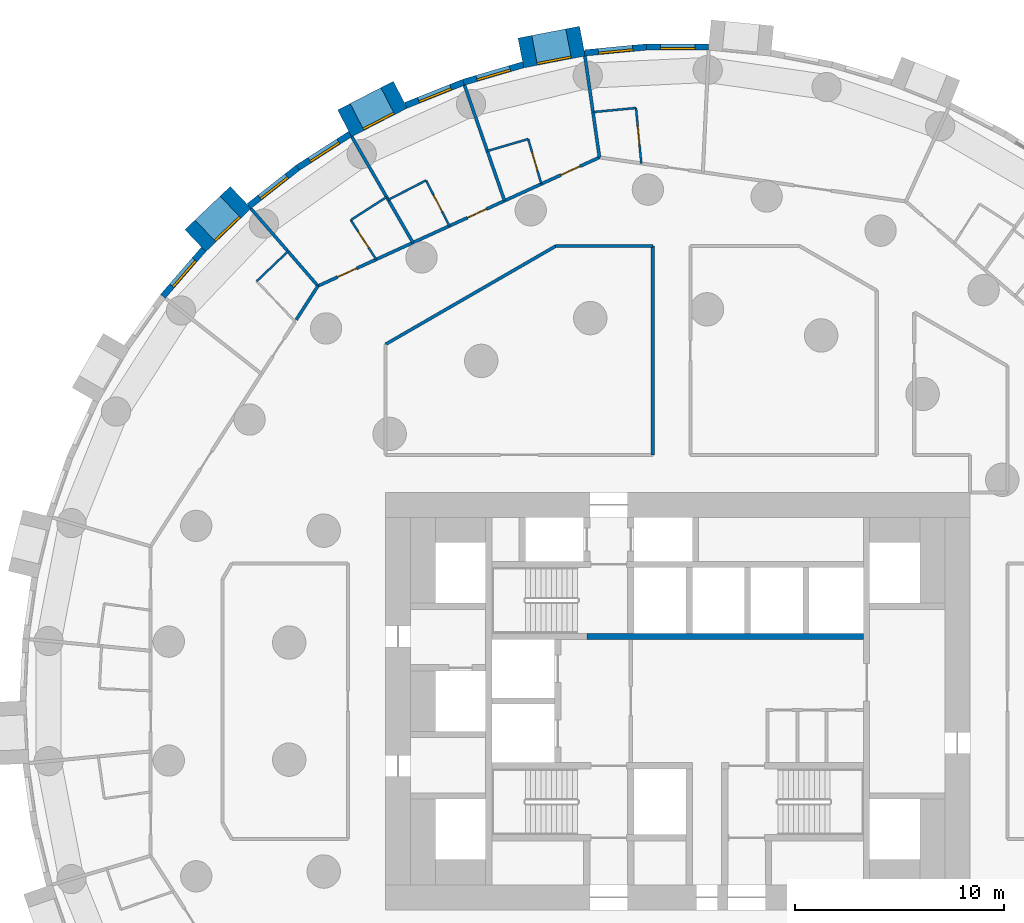
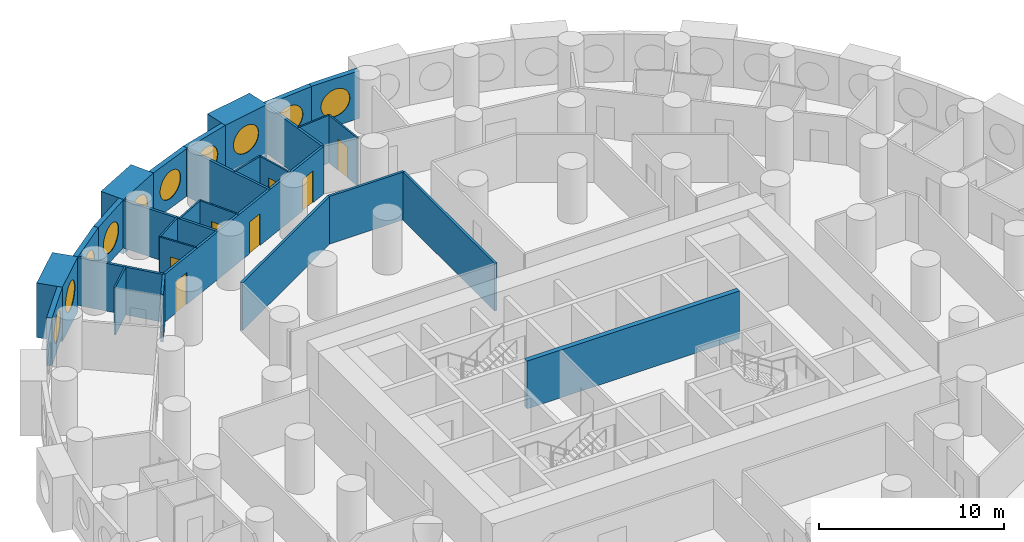
# One storey, part 8 of 12: 29 walls, 10 windows, 7 doors, 17 openings.
"""IFC4 building model written with IfcOpenShell, lengths in metres."""

from ifc_helpers import new_model, si_unit, direction, frame, frame_2d, origin, origin_2d, place, context, subcontext, project, spatial, rectangle, circle, extrude, material, layer, layer_set, type_object, element, fill, save


model = new_model("IFC4")

# Units and contexts
model_context = context("Model", 3, precision=1e-05, world=origin(), true_north=direction((0.0, 1.0)))
body_context = subcontext(model_context, "Body", "Model", "MODEL_VIEW")
ifc_project = project(units=[si_unit("LENGTHUNIT", "METRE"), si_unit("AREAUNIT", "SQUARE_METRE"), si_unit("VOLUMEUNIT", "CUBIC_METRE"), si_unit("PLANEANGLEUNIT", "RADIAN"), si_unit("MASSUNIT", "GRAM", prefix="KILO")], contexts=[model_context])

# Site, building, storey
site_placement = place(None, origin())
site = spatial("IfcSite", under=ifc_project, at=site_placement, CompositionType="ELEMENT")
building_placement = place(site_placement, origin())
building = spatial("IfcBuilding", under=site, at=building_placement, Name="Tracery Tower", CompositionType="ELEMENT")
storey_placement = place(building_placement, frame((0.0, 0.0, 31.800048828125)))
storey = spatial("IfcBuildingStorey", under=building, at=storey_placement, Name="L06", CompositionType="ELEMENT", Elevation=31.800048828125)

# Wall, opening, window
ifc_material_1 = material(Name="Precast concrete C50/60", Category="concrete")
ifc_layer_1 = layer(ifc_material_1, 1.449951171875)
ifc_layer_set_1 = layer_set([ifc_layer_1], Name="Deep-set bay unit 3000 x 3600, slab edge 450")
wall_type_1 = type_object("IfcWallType", Name="Deep-set bay unit 3000 x 3600, slab edge 450", PredefinedType="ELEMENTEDWALL", material=ifc_layer_set_1)
wall_1_placement = place(storey_placement, frame((-4.56689453125, 31.62109375, -0.449951171875), z_axis=(0.0, 0.0, 1.0), x_axis=(-0.981921602273, -0.189288052949, 0.0)))
wall_1 = element("IfcWall", 1, at=wall_1_placement, inside=storey, type_object=wall_type_1, Name="Deep-set bay unit 19 at L06", PredefinedType="ELEMENTEDWALL", context=body_context, shape_type="SweptSolid", body=[
    extrude(rectangle(XDim=3.0, YDim=1.449951171875, at=frame_2d((1.5, 0.0))), origin(), (0.0, 0.0, 1.0), 3.599853515625),
])
opening_1_placement = place(wall_1_placement, frame((1.5, 0.0, 2.0)))
opening_1 = element("IfcOpeningElement", 2, at=opening_1_placement, cuts=wall_1, Name="Opening WN1", PredefinedType="OPENING", context=body_context, shape_type="SweptSolid", body=[
    extrude(circle(Radius=0.9000244140625, at=origin_2d()), frame((0.0, 0.73486328125, 0.0), z_axis=(0.0, -1.0, 0.0), x_axis=(1.0, 0.0, 0.0)), (0.0, 0.0, 1.0), 1.469970703125),
])
ifc_material_2 = material(Name="Aluminium frame with tinted double glazing", Category="aluminium")
window_type = type_object("IfcWindowType", Name="Round window 1800", PartitioningType="SINGLE_PANEL", PredefinedType="WINDOW", material=ifc_material_2)
window_1_placement = place(opening_1_placement, origin())
window_1 = element("IfcWindow", 3, at=window_1_placement, inside=storey, type_object=window_type, Name="Round window 19 at L06", OverallHeight=1.800048828125, OverallWidth=1.800048828125, PartitioningType="SINGLE_PANEL", PredefinedType="WINDOW", context=body_context, shape_type="SweptSolid", body=[
    extrude(circle(Radius=0.9000244140625, at=origin_2d()), frame((0.0, 0.69482421875, 0.0), z_axis=(0.0, -1.0, 0.0), x_axis=(1.0, 0.0, 0.0)), (0.0, 0.0, 1.0), 0.10009765625),
])
fill(opening_1, window_1)

wall_2_placement = place(storey_placement, frame((-13.29052734375, 29.053466796875, -0.449951171875), z_axis=(0.0, 0.0, 1.0), x_axis=(-0.888858064689, -0.458182650083, 0.0)))
wall_2 = element("IfcWall", 4, at=wall_2_placement, inside=storey, type_object=wall_type_1, Name="Deep-set bay unit 22 at L06", PredefinedType="ELEMENTEDWALL", context=body_context, shape_type="SweptSolid", body=[
    extrude(rectangle(XDim=3.0, YDim=1.449951171875, at=frame_2d((1.5, 0.0))), origin(), (0.0, 0.0, 1.0), 3.599853515625),
])
opening_2_placement = place(wall_2_placement, frame((1.5, 0.0, 2.0)))
opening_2 = element("IfcOpeningElement", 5, at=opening_2_placement, cuts=wall_2, Name="Opening WN1", PredefinedType="OPENING", context=body_context, shape_type="SweptSolid", body=[
    extrude(circle(Radius=0.9000244140625, at=origin_2d()), frame((0.0, 0.73486328125, 0.0), z_axis=(0.0, -1.0, 0.0), x_axis=(1.0, 0.0, 0.0)), (0.0, 0.0, 1.0), 1.469970703125),
])
window_2_placement = place(opening_2_placement, origin())
window_2 = element("IfcWindow", 6, at=window_2_placement, inside=storey, type_object=window_type, Name="Round window 22 at L06", OverallHeight=1.800048828125, OverallWidth=1.800048828125, PartitioningType="SINGLE_PANEL", PredefinedType="WINDOW", context=body_context, shape_type="SweptSolid", body=[
    extrude(circle(Radius=0.9000244140625, at=origin_2d()), frame((0.0, 0.69482421875, 0.0), z_axis=(0.0, -1.0, 0.0), x_axis=(1.0, 0.0, 0.0)), (0.0, 0.0, 1.0), 0.10009765625),
])
fill(opening_2, window_2)

wall_3_placement = place(storey_placement, frame((-20.9375, 24.13232421875, -0.449951171875), z_axis=(0.0, 0.0, 1.0), x_axis=(-0.723712023899, -0.690102098579, 0.0)))
wall_3 = element("IfcWall", 7, at=wall_3_placement, inside=storey, type_object=wall_type_1, Name="Deep-set bay unit 25 at L06", PredefinedType="ELEMENTEDWALL", context=body_context, shape_type="SweptSolid", body=[
    extrude(rectangle(XDim=3.0, YDim=1.449951171875, at=frame_2d((1.5, 0.0))), origin(), (0.0, 0.0, 1.0), 3.599853515625),
])
opening_3_placement = place(wall_3_placement, frame((1.5, 0.0, 2.0)))
opening_3 = element("IfcOpeningElement", 8, at=opening_3_placement, cuts=wall_3, Name="Opening WN1", PredefinedType="OPENING", context=body_context, shape_type="SweptSolid", body=[
    extrude(circle(Radius=0.9000244140625, at=origin_2d()), frame((0.0, 0.73486328125, 0.0), z_axis=(0.0, -1.0, 0.0), x_axis=(1.0, 0.0, 0.0)), (0.0, 0.0, 1.0), 1.469970703125),
])
window_3_placement = place(opening_3_placement, origin())
window_3 = element("IfcWindow", 9, at=window_3_placement, inside=storey, type_object=window_type, Name="Round window 25 at L06", OverallHeight=1.800048828125, OverallWidth=1.800048828125, PartitioningType="SINGLE_PANEL", PredefinedType="WINDOW", context=body_context, shape_type="SweptSolid", body=[
    extrude(circle(Radius=0.9000244140625, at=origin_2d()), frame((0.0, 0.69482421875, 0.0), z_axis=(0.0, -1.0, 0.0), x_axis=(1.0, 0.0, 0.0)), (0.0, 0.0, 1.0), 0.10009765625),
])
fill(opening_3, window_3)

ifc_material_3 = material(Name="Precast concrete C50/60", Category="concrete")
ifc_layer_2 = layer(ifc_material_3, 0.300048828125)
ifc_layer_set_2 = layer_set([ifc_layer_2], Name="Facade panel 3000 x 3150")
wall_type_2 = type_object("IfcWallType", Name="Facade panel 3000 x 3150", PredefinedType="SOLIDWALL", material=ifc_layer_set_2)
wall_4_placement = place(storey_placement, frame((1.48681640625, 31.3388671875, 0.0), z_axis=(0.0, 0.0, 1.0), x_axis=(-1.0, 0.0, 0.0)))
wall_4 = element("IfcWall", 10, at=wall_4_placement, inside=storey, type_object=wall_type_2, Name="Facade panel 17 at L06", PredefinedType="SOLIDWALL", context=body_context, shape_type="SweptSolid", body=[
    extrude(rectangle(XDim=2.979736328125, YDim=0.300048828125, at=frame_2d((1.48974609375, 0.0))), origin(), (0.0, 0.0, 1.0), 3.14990234375),
])
opening_4_placement = place(wall_4_placement, frame((1.48974609375, 0.0, 1.5498046875)))
opening_4 = element("IfcOpeningElement", 11, at=opening_4_placement, cuts=wall_4, Name="Opening WN1", PredefinedType="OPENING", context=body_context, shape_type="SweptSolid", body=[
    extrude(circle(Radius=0.9000244140625, at=origin_2d()), frame((0.0, 0.159912109375, 0.0), z_axis=(0.0, -1.0, 0.0), x_axis=(1.0, 0.0, 0.0)), (0.0, 0.0, 1.0), 0.320068359375),
])
window_4_placement = place(opening_4_placement, origin())
window_4 = element("IfcWindow", 12, at=window_4_placement, inside=storey, type_object=window_type, Name="Round window 17 at L06", OverallHeight=1.800048828125, OverallWidth=1.800048828125, PartitioningType="SINGLE_PANEL", PredefinedType="WINDOW", context=body_context, shape_type="SweptSolid", body=[
    extrude(circle(Radius=0.9000244140625, at=origin_2d()), frame((0.0, 0.1201171875, 0.0), z_axis=(0.0, -1.0, 0.0), x_axis=(1.0, 0.0, 0.0)), (0.0, 0.0, 1.0), 0.10009765625),
])
fill(opening_4, window_4)

wall_5_placement = place(storey_placement, frame((-1.492919921875, 31.3388671875, 0.0), z_axis=(0.0, 0.0, 1.0), x_axis=(-0.995472611385, -0.095048829468, 0.0)))
wall_5 = element("IfcWall", 13, at=wall_5_placement, inside=storey, type_object=wall_type_2, Name="Facade panel 18 at L06", PredefinedType="SOLIDWALL", context=body_context, shape_type="SweptSolid", body=[
    extrude(rectangle(XDim=2.9794921875, YDim=0.300048828125, at=frame_2d((1.48974609375, 0.0))), origin(), (0.0, 0.0, 1.0), 3.14990234375),
])
opening_5_placement = place(wall_5_placement, frame((1.48974609375, 0.0, 1.5498046875)))
opening_5 = element("IfcOpeningElement", 14, at=opening_5_placement, cuts=wall_5, Name="Opening WN1", PredefinedType="OPENING", context=body_context, shape_type="SweptSolid", body=[
    extrude(circle(Radius=0.9000244140625, at=origin_2d()), frame((0.0, 0.159912109375, 0.0), z_axis=(0.0, -1.0, 0.0), x_axis=(1.0, 0.0, 0.0)), (0.0, 0.0, 1.0), 0.320068359375),
])
window_5_placement = place(opening_5_placement, origin())
window_5 = element("IfcWindow", 15, at=window_5_placement, inside=storey, type_object=window_type, Name="Round window 18 at L06", OverallHeight=1.800048828125, OverallWidth=1.800048828125, PartitioningType="SINGLE_PANEL", PredefinedType="WINDOW", context=body_context, shape_type="SweptSolid", body=[
    extrude(circle(Radius=0.9000244140625, at=origin_2d()), frame((0.0, 0.1201171875, 0.0), z_axis=(0.0, -1.0, 0.0), x_axis=(1.0, 0.0, 0.0)), (0.0, 0.0, 1.0), 0.10009765625),
])
fill(opening_5, window_5)

wall_6_placement = place(storey_placement, frame((-7.402587890625, 30.48828125, 0.0), z_axis=(0.0, 0.0, 1.0), x_axis=(-0.959501085144, -0.281704930036, 0.0)))
wall_6 = element("IfcWall", 16, at=wall_6_placement, inside=storey, type_object=wall_type_2, Name="Facade panel 20 at L06", PredefinedType="SOLIDWALL", context=body_context, shape_type="SweptSolid", body=[
    extrude(rectangle(XDim=2.9794921875, YDim=0.300048828125, at=frame_2d((1.48974609375, 0.0))), origin(), (0.0, 0.0, 1.0), 3.14990234375),
])
opening_6_placement = place(wall_6_placement, frame((1.48974609375, 0.0, 1.5498046875)))
opening_6 = element("IfcOpeningElement", 17, at=opening_6_placement, cuts=wall_6, Name="Opening WN1", PredefinedType="OPENING", context=body_context, shape_type="SweptSolid", body=[
    extrude(circle(Radius=0.9000244140625, at=origin_2d()), frame((0.0, 0.159912109375, 0.0), z_axis=(0.0, -1.0, 0.0), x_axis=(1.0, 0.0, 0.0)), (0.0, 0.0, 1.0), 0.320068359375),
])
window_6_placement = place(opening_6_placement, origin())
window_6 = element("IfcWindow", 18, at=window_6_placement, inside=storey, type_object=window_type, Name="Round window 20 at L06", OverallHeight=1.800048828125, OverallWidth=1.800048828125, PartitioningType="SINGLE_PANEL", PredefinedType="WINDOW", context=body_context, shape_type="SweptSolid", body=[
    extrude(circle(Radius=0.9000244140625, at=origin_2d()), frame((0.0, 0.1201171875, 0.0), z_axis=(0.0, -1.0, 0.0), x_axis=(1.0, 0.0, 0.0)), (0.0, 0.0, 1.0), 0.10009765625),
])
fill(opening_6, window_6)

wall_7_placement = place(storey_placement, frame((-10.261474609375, 29.64892578125, 0.0), z_axis=(0.0, 0.0, 1.0), x_axis=(-0.928374947, -0.371644935098, 0.0)))
wall_7 = element("IfcWall", 19, at=wall_7_placement, inside=storey, type_object=wall_type_2, Name="Facade panel 21 at L06", PredefinedType="SOLIDWALL", context=body_context, shape_type="SweptSolid", body=[
    extrude(rectangle(XDim=2.979736328125, YDim=0.300048828125, at=frame_2d((1.48974609375, 0.0))), origin(), (0.0, 0.0, 1.0), 3.14990234375),
])
opening_7_placement = place(wall_7_placement, frame((1.48974609375, 0.0, 1.5498046875)))
opening_7 = element("IfcOpeningElement", 20, at=opening_7_placement, cuts=wall_7, Name="Opening WN1", PredefinedType="OPENING", context=body_context, shape_type="SweptSolid", body=[
    extrude(circle(Radius=0.9000244140625, at=origin_2d()), frame((0.0, 0.159912109375, 0.0), z_axis=(0.0, -1.0, 0.0), x_axis=(1.0, 0.0, 0.0)), (0.0, 0.0, 1.0), 0.320068359375),
])
window_7_placement = place(opening_7_placement, origin())
window_7 = element("IfcWindow", 21, at=window_7_placement, inside=storey, type_object=window_type, Name="Round window 21 at L06", OverallHeight=1.800048828125, OverallWidth=1.800048828125, PartitioningType="SINGLE_PANEL", PredefinedType="WINDOW", context=body_context, shape_type="SweptSolid", body=[
    extrude(circle(Radius=0.9000244140625, at=origin_2d()), frame((0.0, 0.1201171875, 0.0), z_axis=(0.0, -1.0, 0.0), x_axis=(1.0, 0.0, 0.0)), (0.0, 0.0, 1.0), 0.10009765625),
])
fill(opening_7, window_7)

wall_8_placement = place(storey_placement, frame((-15.6923828125, 27.167724609375, 0.0), z_axis=(0.0, 0.0, 1.0), x_axis=(-0.841260995538, -0.54062920508, 0.0)))
wall_8 = element("IfcWall", 22, at=wall_8_placement, inside=storey, type_object=wall_type_2, Name="Facade panel 23 at L06", PredefinedType="SOLIDWALL", context=body_context, shape_type="SweptSolid", body=[
    extrude(rectangle(XDim=2.9794921875, YDim=0.300048828125, at=frame_2d((1.48974609375, 0.0))), origin(), (0.0, 0.0, 1.0), 3.14990234375),
])
opening_8_placement = place(wall_8_placement, frame((1.48974609375, 0.0, 1.5498046875)))
opening_8 = element("IfcOpeningElement", 23, at=opening_8_placement, cuts=wall_8, Name="Opening WN1", PredefinedType="OPENING", context=body_context, shape_type="SweptSolid", body=[
    extrude(circle(Radius=0.9000244140625, at=origin_2d()), frame((0.0, 0.159912109375, 0.0), z_axis=(0.0, -1.0, 0.0), x_axis=(1.0, 0.0, 0.0)), (0.0, 0.0, 1.0), 0.320068359375),
])
window_8_placement = place(opening_8_placement, origin())
window_8 = element("IfcWindow", 24, at=window_8_placement, inside=storey, type_object=window_type, Name="Round window 23 at L06", OverallHeight=1.800048828125, OverallWidth=1.800048828125, PartitioningType="SINGLE_PANEL", PredefinedType="WINDOW", context=body_context, shape_type="SweptSolid", body=[
    extrude(circle(Radius=0.9000244140625, at=origin_2d()), frame((0.0, 0.1201171875, 0.0), z_axis=(0.0, -1.0, 0.0), x_axis=(1.0, 0.0, 0.0)), (0.0, 0.0, 1.0), 0.10009765625),
])
fill(opening_8, window_8)

wall_9_placement = place(storey_placement, frame((-18.198974609375, 25.556884765625, 0.0), z_axis=(0.0, 0.0, 1.0), x_axis=(-0.786053834673, -0.618158045322, 0.0)))
wall_9 = element("IfcWall", 25, at=wall_9_placement, inside=storey, type_object=wall_type_2, Name="Facade panel 24 at L06", PredefinedType="SOLIDWALL", context=body_context, shape_type="SweptSolid", body=[
    extrude(rectangle(XDim=2.9794921875, YDim=0.300048828125, at=frame_2d((1.48974609375, 0.0))), origin(), (0.0, 0.0, 1.0), 3.14990234375),
])
opening_9_placement = place(wall_9_placement, frame((1.48974609375, 0.0, 1.5498046875)))
opening_9 = element("IfcOpeningElement", 26, at=opening_9_placement, cuts=wall_9, Name="Opening WN1", PredefinedType="OPENING", context=body_context, shape_type="SweptSolid", body=[
    extrude(circle(Radius=0.9000244140625, at=origin_2d()), frame((0.0, 0.159912109375, 0.0), z_axis=(0.0, -1.0, 0.0), x_axis=(1.0, 0.0, 0.0)), (0.0, 0.0, 1.0), 0.320068359375),
])
window_9_placement = place(opening_9_placement, origin())
window_9 = element("IfcWindow", 27, at=window_9_placement, inside=storey, type_object=window_type, Name="Round window 24 at L06", OverallHeight=1.800048828125, OverallWidth=1.800048828125, PartitioningType="SINGLE_PANEL", PredefinedType="WINDOW", context=body_context, shape_type="SweptSolid", body=[
    extrude(circle(Radius=0.9000244140625, at=origin_2d()), frame((0.0, 0.1201171875, 0.0), z_axis=(0.0, -1.0, 0.0), x_axis=(1.0, 0.0, 0.0)), (0.0, 0.0, 1.0), 0.10009765625),
])
fill(opening_9, window_9)

wall_10_placement = place(storey_placement, frame((-22.710693359375, 21.646240234375, 0.0), z_axis=(0.0, 0.0, 1.0), x_axis=(-0.654830712471, -0.755775587066, 0.0)))
wall_10 = element("IfcWall", 28, at=wall_10_placement, inside=storey, type_object=wall_type_2, Name="Facade panel 26 at L06", PredefinedType="SOLIDWALL", context=body_context, shape_type="SweptSolid", body=[
    extrude(rectangle(XDim=2.979736328125, YDim=0.300048828125, at=frame_2d((1.48974609375, 0.0))), origin(), (0.0, 0.0, 1.0), 3.14990234375),
])
opening_10_placement = place(wall_10_placement, frame((1.48974609375, 0.0, 1.5498046875)))
opening_10 = element("IfcOpeningElement", 29, at=opening_10_placement, cuts=wall_10, Name="Opening WN1", PredefinedType="OPENING", context=body_context, shape_type="SweptSolid", body=[
    extrude(circle(Radius=0.9000244140625, at=origin_2d()), frame((0.0, 0.159912109375, 0.0), z_axis=(0.0, -1.0, 0.0), x_axis=(1.0, 0.0, 0.0)), (0.0, 0.0, 1.0), 0.320068359375),
])
window_10_placement = place(opening_10_placement, origin())
window_10 = element("IfcWindow", 30, at=window_10_placement, inside=storey, type_object=window_type, Name="Round window 26 at L06", OverallHeight=1.800048828125, OverallWidth=1.800048828125, PartitioningType="SINGLE_PANEL", PredefinedType="WINDOW", context=body_context, shape_type="SweptSolid", body=[
    extrude(circle(Radius=0.9000244140625, at=origin_2d()), frame((0.0, 0.1201171875, 0.0), z_axis=(0.0, -1.0, 0.0), x_axis=(1.0, 0.0, 0.0)), (0.0, 0.0, 1.0), 0.10009765625),
])
fill(opening_10, window_10)

# Wall, opening, door
ifc_material_4 = material(Name="Plasterboard on steel studs", Category="steel")
ifc_layer_3 = layer(ifc_material_4, 0.10009765625)
ifc_layer_set_3 = layer_set([ifc_layer_3], Name="Partition 100 wet wall")
wall_type_3 = type_object("IfcWallType", Name="Partition 100 wet wall", PredefinedType="PARTITIONING", material=ifc_layer_set_3)
wall_11_placement = place(storey_placement, frame((-1.99609375, 28.41796875, 0.0), z_axis=(0.0, 0.0, 1.0), x_axis=(0.094925726797, -0.995484357683, 0.0)))
wall_11 = element("IfcWall", 31, at=wall_11_placement, inside=storey, type_object=wall_type_3, Name="Wet wall RA1-078", PredefinedType="PARTITIONING", context=body_context, shape_type="SweptSolid", body=[
    extrude(rectangle(XDim=2.6669921875, YDim=0.10009765625, at=frame_2d((1.33349609375, 0.0))), origin(), (0.0, 0.0, 1.0), 3.14990234375),
])
opening_11_placement = place(wall_11_placement, frame((0.883056640625, 0.0, 0.0)))
opening_11 = element("IfcOpeningElement", 32, at=opening_11_placement, cuts=wall_11, Name="Opening RA1-22", PredefinedType="OPENING", context=body_context, shape_type="SweptSolid", body=[
    extrude(rectangle(XDim=0.89990234375, YDim=2.0400390625, at=frame_2d((0.449951171875, 1.02001953125))), frame((0.0, 0.050048828125, 0.0), z_axis=(0.0, -1.0, 0.0), x_axis=(1.0, 0.0, 0.0)), (0.0, 0.0, 1.0), 0.10009765625),
])
ifc_material_5 = material(Name="Timber door leaf", Category="wood")
door_type_1 = type_object("IfcDoorType", Name="Door en-suite 900", OperationType="NOTDEFINED", PredefinedType="DOOR", material=ifc_material_5)
door_1_placement = place(opening_11_placement, origin())
door_1 = element("IfcDoor", 33, at=door_1_placement, inside=storey, type_object=door_type_1, Name="En-suite door RA1-22", OperationType="SINGLE_SWING_RIGHT", OverallHeight=2.0400390625, OverallWidth=0.89990234375, PredefinedType="DOOR", context=body_context, shape_type="SweptSolid", body=[
    extrude(rectangle(XDim=0.89990234375, YDim=2.0400390625, at=frame_2d((0.449951171875, 1.02001953125))), frame((0.0, 0.02490234375, 0.0), z_axis=(0.0, -1.0, 0.0), x_axis=(1.0, 0.0, 0.0)), (0.0, 0.0, 1.0), 0.050048828125),
])
fill(opening_11, door_1)

# Wall
wall_12_placement = place(storey_placement, frame((-4.05810546875, 28.220947265625, 0.0), z_axis=(0.0, 0.0, 1.0), x_axis=(0.995466291052, 0.095115000814, 0.0)))
element("IfcWall", 34, at=wall_12_placement, inside=storey, type_object=wall_type_3, Name="Wet wall RA1-079", PredefinedType="PARTITIONING", context=body_context, shape_type="SweptSolid", body=[
    extrude(rectangle(XDim=2.0712890625, YDim=0.10009765625, at=frame_2d((1.03564453125, 0.0))), origin(), (0.0, 0.0, 1.0), 3.14990234375),
])

# Wall, opening, door
wall_13_placement = place(storey_placement, frame((-7.1630859375, 26.929931640625, 0.0), z_axis=(0.0, 0.0, 1.0), x_axis=(0.281948165188, -0.959429638977, 0.0)))
wall_13 = element("IfcWall", 35, at=wall_13_placement, inside=storey, type_object=wall_type_3, Name="Wet wall RA1-081", PredefinedType="PARTITIONING", context=body_context, shape_type="SweptSolid", body=[
    extrude(rectangle(XDim=2.241943359375, YDim=0.10009765625, at=frame_2d((1.12109375, 0.0))), origin(), (0.0, 0.0, 1.0), 3.14990234375),
])
opening_12_placement = place(wall_13_placement, frame((0.6708984375, 0.0, 0.0)))
opening_12 = element("IfcOpeningElement", 36, at=opening_12_placement, cuts=wall_13, Name="Opening RA1-24", PredefinedType="OPENING", context=body_context, shape_type="SweptSolid", body=[
    extrude(rectangle(XDim=0.89990234375, YDim=2.0400390625, at=frame_2d((0.449951171875, 1.02001953125))), frame((0.0, 0.050048828125, 0.0), z_axis=(0.0, -1.0, 0.0), x_axis=(1.0, 0.0, 0.0)), (0.0, 0.0, 1.0), 0.10009765625),
])
door_2_placement = place(opening_12_placement, origin())
door_2 = element("IfcDoor", 37, at=door_2_placement, inside=storey, type_object=door_type_1, Name="En-suite door RA1-24", OperationType="SINGLE_SWING_RIGHT", OverallHeight=2.0400390625, OverallWidth=0.89990234375, PredefinedType="DOOR", context=body_context, shape_type="SweptSolid", body=[
    extrude(rectangle(XDim=0.89990234375, YDim=2.0400390625, at=frame_2d((0.449951171875, 1.02001953125))), frame((0.0, 0.02490234375, 0.0), z_axis=(0.0, -1.0, 0.0), x_axis=(1.0, 0.0, 0.0)), (0.0, 0.0, 1.0), 0.050048828125),
])
fill(opening_12, door_2)

# Wall
wall_14_placement = place(storey_placement, frame((-9.12109375, 26.35498046875, 0.0), z_axis=(0.0, 0.0, 1.0), x_axis=(0.95948923736, 0.281745281045, 0.0)))
element("IfcWall", 38, at=wall_14_placement, inside=storey, type_object=wall_type_3, Name="Wet wall RA1-082", PredefinedType="PARTITIONING", context=body_context, shape_type="SweptSolid", body=[
    extrude(rectangle(XDim=2.040771484375, YDim=0.10009765625, at=frame_2d((1.0205078125, 0.0))), origin(), (0.0, 0.0, 1.0), 3.14990234375),
])

# Wall, opening, door
wall_15_placement = place(storey_placement, frame((-12.05810546875, 24.947998046875, 0.0), z_axis=(0.0, 0.0, 1.0), x_axis=(0.458287904527, -0.888803800939, 0.0)))
wall_15 = element("IfcWall", 39, at=wall_15_placement, inside=storey, type_object=wall_type_3, Name="Wet wall RA1-084", PredefinedType="PARTITIONING", context=body_context, shape_type="SweptSolid", body=[
    extrude(rectangle(XDim=2.45263671875, YDim=0.10009765625, at=frame_2d((1.226318359375, 0.0))), origin(), (0.0, 0.0, 1.0), 3.14990234375),
])
opening_13_placement = place(wall_15_placement, frame((0.776611328125, 0.0, 0.0)))
opening_13 = element("IfcOpeningElement", 40, at=opening_13_placement, cuts=wall_15, Name="Opening RA1-26", PredefinedType="OPENING", context=body_context, shape_type="SweptSolid", body=[
    extrude(rectangle(XDim=0.89990234375, YDim=2.0400390625, at=frame_2d((0.449951171875, 1.02001953125))), frame((0.0, 0.050048828125, 0.0), z_axis=(0.0, -1.0, 0.0), x_axis=(1.0, 0.0, 0.0)), (0.0, 0.0, 1.0), 0.10009765625),
])
door_3_placement = place(opening_13_placement, origin())
door_3 = element("IfcDoor", 41, at=door_3_placement, inside=storey, type_object=door_type_1, Name="En-suite door RA1-26", OperationType="SINGLE_SWING_LEFT", OverallHeight=2.0400390625, OverallWidth=0.89990234375, PredefinedType="DOOR", context=body_context, shape_type="SweptSolid", body=[
    extrude(rectangle(XDim=0.89990234375, YDim=2.0400390625, at=frame_2d((0.449951171875, 1.02001953125))), frame((0.0, 0.02490234375, 0.0), z_axis=(0.0, -1.0, 0.0), x_axis=(1.0, 0.0, 0.0)), (0.0, 0.0, 1.0), 0.050048828125),
])
fill(opening_13, door_3)

# Walls
wall_16_placement = place(storey_placement, frame((-13.865966796875, 24.01611328125, 0.0), z_axis=(0.0, 0.0, 1.0), x_axis=(0.888861985525, 0.45817504372, 0.0)))
element("IfcWall", 42, at=wall_16_placement, inside=storey, type_object=wall_type_3, Name="Wet wall RA1-085", PredefinedType="PARTITIONING", context=body_context, shape_type="SweptSolid", body=[
    extrude(rectangle(XDim=2.033935546875, YDim=0.10009765625, at=frame_2d((1.01708984375, 0.0))), origin(), (0.0, 0.0, 1.0), 3.14990234375),
])
wall_17_placement = place(storey_placement, frame((-15.660888671875, 23.048095703125, 0.0), z_axis=(0.0, 0.0, 1.0), x_axis=(0.84110074148, 0.540878491606, 0.0)))
element("IfcWall", 43, at=wall_17_placement, inside=storey, type_object=wall_type_3, Name="Wet wall RA1-087", PredefinedType="PARTITIONING", context=body_context, shape_type="SweptSolid", body=[
    extrude(rectangle(XDim=2.041015625, YDim=0.10009765625, at=frame_2d((1.0205078125, 0.0))), origin(), (0.0, 0.0, 1.0), 3.14990234375),
])

# Wall, opening, door
wall_18_placement = place(storey_placement, frame((-15.660888671875, 23.048095703125, 0.0), z_axis=(0.0, 0.0, 1.0), x_axis=(0.540796133976, -0.841153696702, 0.0)))
wall_18 = element("IfcWall", 44, at=wall_18_placement, inside=storey, type_object=wall_type_3, Name="Wet wall RA1-088", PredefinedType="PARTITIONING", context=body_context, shape_type="SweptSolid", body=[
    extrude(rectangle(XDim=2.240966796875, YDim=0.10009765625, at=frame_2d((1.12060546875, 0.0))), origin(), (0.0, 0.0, 1.0), 3.14990234375),
])
opening_14_placement = place(wall_18_placement, frame((0.6708984375, 0.0, 0.0)))
opening_14 = element("IfcOpeningElement", 45, at=opening_14_placement, cuts=wall_18, Name="Opening RA1-28", PredefinedType="OPENING", context=body_context, shape_type="SweptSolid", body=[
    extrude(rectangle(XDim=0.89990234375, YDim=2.0400390625, at=frame_2d((0.449951171875, 1.02001953125))), frame((0.0, 0.050048828125, 0.0), z_axis=(0.0, -1.0, 0.0), x_axis=(1.0, 0.0, 0.0)), (0.0, 0.0, 1.0), 0.10009765625),
])
door_4_placement = place(opening_14_placement, origin())
door_4 = element("IfcDoor", 46, at=door_4_placement, inside=storey, type_object=door_type_1, Name="En-suite door RA1-28", OperationType="SINGLE_SWING_RIGHT", OverallHeight=2.0400390625, OverallWidth=0.89990234375, PredefinedType="DOOR", context=body_context, shape_type="SweptSolid", body=[
    extrude(rectangle(XDim=0.89990234375, YDim=2.0400390625, at=frame_2d((0.449951171875, 1.02001953125))), frame((0.0, 0.02490234375, 0.0), z_axis=(0.0, -1.0, 0.0), x_axis=(1.0, 0.0, 0.0)), (0.0, 0.0, 1.0), 0.050048828125),
])
fill(opening_14, door_4)

# Walls
wall_19_placement = place(storey_placement, frame((-20.1689453125, 20.117919921875, 0.0), z_axis=(0.0, 0.0, 1.0), x_axis=(0.723537557066, 0.690285016145, 0.0)))
element("IfcWall", 47, at=wall_19_placement, inside=storey, type_object=wall_type_3, Name="Wet wall RA1-090", PredefinedType="PARTITIONING", context=body_context, shape_type="SweptSolid", body=[
    extrude(rectangle(XDim=2.070556640625, YDim=0.10009765625, at=frame_2d((1.03515625, 0.0))), origin(), (0.0, 0.0, 1.0), 3.14990234375),
])
ifc_material_6 = material(Name="Plasterboard on steel studs", Category="steel")
ifc_layer_4 = layer(ifc_material_6, 0.14990234375)
ifc_layer_set_4 = layer_set([ifc_layer_4], Name="Partition 150 acoustic unit wall")
wall_type_4 = type_object("IfcWallType", Name="Partition 150 acoustic unit wall", PredefinedType="PARTITIONING", material=ifc_layer_set_4)
wall_20_placement = place(storey_placement, frame((-4.444091796875, 30.906005859375, 0.0), z_axis=(0.0, 0.0, 1.0), x_axis=(0.142306296561, -0.989822669956, 0.0)))
element("IfcWall", 48, at=wall_20_placement, inside=storey, type_object=wall_type_4, Name="Unit wall RA1-080", PredefinedType="PARTITIONING", context=body_context, shape_type="SweptSolid", body=[
    extrude(rectangle(XDim=4.90478515625, YDim=0.14990234375, at=frame_2d((2.452392578125, 0.0))), origin(), (0.0, 0.0, 1.0), 3.14990234375),
])
wall_21_placement = place(storey_placement, frame((-10.2119140625, 29.507080078125, 0.0), z_axis=(0.0, 0.0, 1.0), x_axis=(0.327061884856, -0.945002922469, 0.0)))
element("IfcWall", 49, at=wall_21_placement, inside=storey, type_object=wall_type_4, Name="Unit wall RA1-083", PredefinedType="PARTITIONING", context=body_context, shape_type="SweptSolid", body=[
    extrude(rectangle(XDim=5.856689453125, YDim=0.14990234375, at=frame_2d((2.92822265625, 0.0))), origin(), (0.0, 0.0, 1.0), 3.14990234375),
])
wall_22_placement = place(storey_placement, frame((-15.612060546875, 27.041015625, 0.0), z_axis=(0.0, 0.0, 1.0), x_axis=(0.499824700643, -0.866126589262, 0.0)))
element("IfcWall", 50, at=wall_22_placement, inside=storey, type_object=wall_type_4, Name="Unit wall RA1-086", PredefinedType="PARTITIONING", context=body_context, shape_type="SweptSolid", body=[
    extrude(rectangle(XDim=5.8564453125, YDim=0.14990234375, at=frame_2d((2.92822265625, 0.0))), origin(), (0.0, 0.0, 1.0), 3.14990234375),
])
wall_23_placement = place(storey_placement, frame((-20.447998046875, 23.597900390625, 0.0), z_axis=(0.0, 0.0, 1.0), x_axis=(0.654900226821, -0.755715351776, 0.0)))
element("IfcWall", 51, at=wall_23_placement, inside=storey, type_object=wall_type_4, Name="Unit wall RA1-089", PredefinedType="PARTITIONING", context=body_context, shape_type="SweptSolid", body=[
    extrude(rectangle(XDim=4.90625, YDim=0.14990234375, at=frame_2d((2.453125, 0.0))), origin(), (0.0, 0.0, 1.0), 3.14990234375),
])
ifc_material_7 = material(Name="Plasterboard on steel studs", Category="steel")
ifc_layer_5 = layer(ifc_material_7, 0.14990234375)
ifc_layer_set_5 = layer_set([ifc_layer_5], Name="Partition 150 corridor wall")
wall_type_5 = type_object("IfcWallType", Name="Partition 150 corridor wall", PredefinedType="PARTITIONING", material=ifc_layer_set_5)
wall_24_placement = place(storey_placement, frame((-1.19189453125, 11.800048828125, 0.0), z_axis=(0.0, 0.0, 1.0), x_axis=(0.0, 1.0, 0.0)))
element("IfcWall", 52, at=wall_24_placement, inside=storey, type_object=wall_type_5, Name="Corridor wall RA1-024", PredefinedType="PARTITIONING", context=body_context, shape_type="SweptSolid", body=[
    extrude(rectangle(XDim=10.001953125, YDim=0.14990234375, at=frame_2d((5.0009765625, 0.0))), origin(), (0.0, 0.0, 1.0), 3.14990234375),
])
wall_25_placement = place(storey_placement, frame((-5.842041015625, 21.802001953125, 0.0), z_axis=(0.0, 0.0, 1.0), x_axis=(1.0, 0.0, 0.0)))
element("IfcWall", 53, at=wall_25_placement, inside=storey, type_object=wall_type_5, Name="Corridor wall RA1-025", PredefinedType="PARTITIONING", context=body_context, shape_type="SweptSolid", body=[
    extrude(rectangle(XDim=4.650146484375, YDim=0.14990234375, at=frame_2d((2.3251953125, 0.0))), origin(), (0.0, 0.0, 1.0), 3.14990234375),
])
wall_26_placement = place(storey_placement, frame((-14.0, 17.092041015625, 0.0), z_axis=(0.0, 0.0, 1.0), x_axis=(0.86602719091, 0.499996904595, 0.0)))
element("IfcWall", 54, at=wall_26_placement, inside=storey, type_object=wall_type_5, Name="Corridor wall RA1-026", PredefinedType="PARTITIONING", context=body_context, shape_type="SweptSolid", body=[
    extrude(rectangle(XDim=9.419921875, YDim=0.14990234375, at=frame_2d((4.7099609375, 0.0))), origin(), (0.0, 0.0, 1.0), 3.14990234375),
])

# Wall, openings, doors
wall_27_placement = place(storey_placement, frame((-17.23388671875, 19.8876953125, 0.0), z_axis=(0.0, 0.0, 1.0), x_axis=(0.90953867323, 0.415619299238, 0.0)))
wall_27 = element("IfcWall", 55, at=wall_27_placement, inside=storey, type_object=wall_type_5, Name="Corridor wall RA1-035", PredefinedType="PARTITIONING", context=body_context, shape_type="SweptSolid", body=[
    extrude(rectangle(XDim=14.829345703125, YDim=0.14990234375, at=frame_2d((7.41455078125, 0.0))), origin(), (0.0, 0.0, 1.0), 3.14990234375),
])
opening_15_placement = place(wall_27_placement, frame((12.797119140625, 0.0, 0.0)))
opening_15 = element("IfcOpeningElement", 56, at=opening_15_placement, cuts=wall_27, Name="Opening RA1-25", PredefinedType="OPENING", context=body_context, shape_type="SweptSolid", body=[
    extrude(rectangle(XDim=1.0, YDim=2.10009765625, at=frame_2d((0.5, 1.050048828125))), frame((0.0, 0.074951171875, 0.0), z_axis=(0.0, -1.0, 0.0), x_axis=(1.0, 0.0, 0.0)), (0.0, 0.0, 1.0), 0.14990234375),
])
opening_16_placement = place(wall_27_placement, frame((7.876708984375, 0.0, 0.0)))
opening_16 = element("IfcOpeningElement", 57, at=opening_16_placement, cuts=wall_27, Name="Opening RA1-27", PredefinedType="OPENING", context=body_context, shape_type="SweptSolid", body=[
    extrude(rectangle(XDim=1.0, YDim=2.10009765625, at=frame_2d((0.5, 1.050048828125))), frame((0.0, 0.074951171875, 0.0), z_axis=(0.0, -1.0, 0.0), x_axis=(1.0, 0.0, 0.0)), (0.0, 0.0, 1.0), 0.14990234375),
])
opening_17_placement = place(wall_27_placement, frame((1.033935546875, 0.0, 0.0)))
opening_17 = element("IfcOpeningElement", 58, at=opening_17_placement, cuts=wall_27, Name="Opening RA1-29", PredefinedType="OPENING", context=body_context, shape_type="SweptSolid", body=[
    extrude(rectangle(XDim=1.0, YDim=2.10009765625, at=frame_2d((0.5, 1.050048828125))), frame((0.0, 0.074951171875, 0.0), z_axis=(0.0, -1.0, 0.0), x_axis=(1.0, 0.0, 0.0)), (0.0, 0.0, 1.0), 0.14990234375),
])
ifc_material_8 = material(Name="Timber door leaf", Category="wood")
door_type_2 = type_object("IfcDoorType", Name="Door unit entrance 1000", OperationType="NOTDEFINED", PredefinedType="DOOR", material=ifc_material_8)
door_5_placement = place(opening_15_placement, origin())
door_5 = element("IfcDoor", 59, at=door_5_placement, inside=storey, type_object=door_type_2, Name="Unit entrance door RA1-25", OperationType="SINGLE_SWING_RIGHT", OverallHeight=2.10009765625, OverallWidth=1.0, PredefinedType="DOOR", context=body_context, shape_type="SweptSolid", body=[
    extrude(rectangle(XDim=1.0, YDim=2.10009765625, at=frame_2d((0.5, 1.050048828125))), frame((0.0, 0.02490234375, 0.0), z_axis=(0.0, -1.0, 0.0), x_axis=(1.0, 0.0, 0.0)), (0.0, 0.0, 1.0), 0.050048828125),
])
fill(opening_15, door_5)
door_6_placement = place(opening_16_placement, origin())
door_6 = element("IfcDoor", 60, at=door_6_placement, inside=storey, type_object=door_type_2, Name="Unit entrance door RA1-27", OperationType="SINGLE_SWING_LEFT", OverallHeight=2.10009765625, OverallWidth=1.0, PredefinedType="DOOR", context=body_context, shape_type="SweptSolid", body=[
    extrude(rectangle(XDim=1.0, YDim=2.10009765625, at=frame_2d((0.5, 1.050048828125))), frame((0.0, 0.02490234375, 0.0), z_axis=(0.0, -1.0, 0.0), x_axis=(1.0, 0.0, 0.0)), (0.0, 0.0, 1.0), 0.050048828125),
])
fill(opening_16, door_6)
door_7_placement = place(opening_17_placement, origin())
door_7 = element("IfcDoor", 61, at=door_7_placement, inside=storey, type_object=door_type_2, Name="Unit entrance door RA1-29", OperationType="SINGLE_SWING_RIGHT", OverallHeight=2.10009765625, OverallWidth=1.0, PredefinedType="DOOR", context=body_context, shape_type="SweptSolid", body=[
    extrude(rectangle(XDim=1.0, YDim=2.10009765625, at=frame_2d((0.5, 1.050048828125))), frame((0.0, 0.02490234375, 0.0), z_axis=(0.0, -1.0, 0.0), x_axis=(1.0, 0.0, 0.0)), (0.0, 0.0, 1.0), 0.050048828125),
])
fill(opening_17, door_7)

# Walls
wall_28_placement = place(storey_placement, frame((-18.27392578125, 18.27392578125, 0.0), z_axis=(0.0, 0.0, 1.0), x_axis=(0.540751168176, 0.841182604502, 0.0)))
element("IfcWall", 62, at=wall_28_placement, inside=storey, type_object=wall_type_5, Name="Corridor wall RA1-036", PredefinedType="PARTITIONING", context=body_context, shape_type="SweptSolid", body=[
    extrude(rectangle(XDim=1.921142578125, YDim=0.14990234375, at=frame_2d((0.96044921875, 0.0))), origin(), (0.0, 0.0, 1.0), 3.14990234375),
])
ifc_material_9 = material(Name="Concrete C60/75", Category="concrete")
ifc_layer_6 = layer(ifc_material_9, 0.300048828125)
ifc_layer_set_6 = layer_set([ifc_layer_6], Name="Stair wall 300 C60")
wall_type_6 = type_object("IfcWallType", Name="Stair wall 300 C60", PredefinedType="SOLIDWALL", material=ifc_layer_set_6)
wall_29_placement = place(storey_placement, frame((-4.35009765625, 3.10009765625, 0.0), z_axis=(0.0, 0.0, 1.0), x_axis=(1.0, 0.0, 0.0)))
element("IfcWall", 63, at=wall_29_placement, inside=storey, type_object=wall_type_6, Name="L06 row N", PredefinedType="SOLIDWALL", context=body_context, shape_type="SweptSolid", body=[
    extrude(rectangle(XDim=13.25, YDim=0.300048828125, at=frame_2d((6.625, 0.0))), origin(), (0.0, 0.0, 1.0), 3.14990234375),
])

save(model, "model.ifc")
